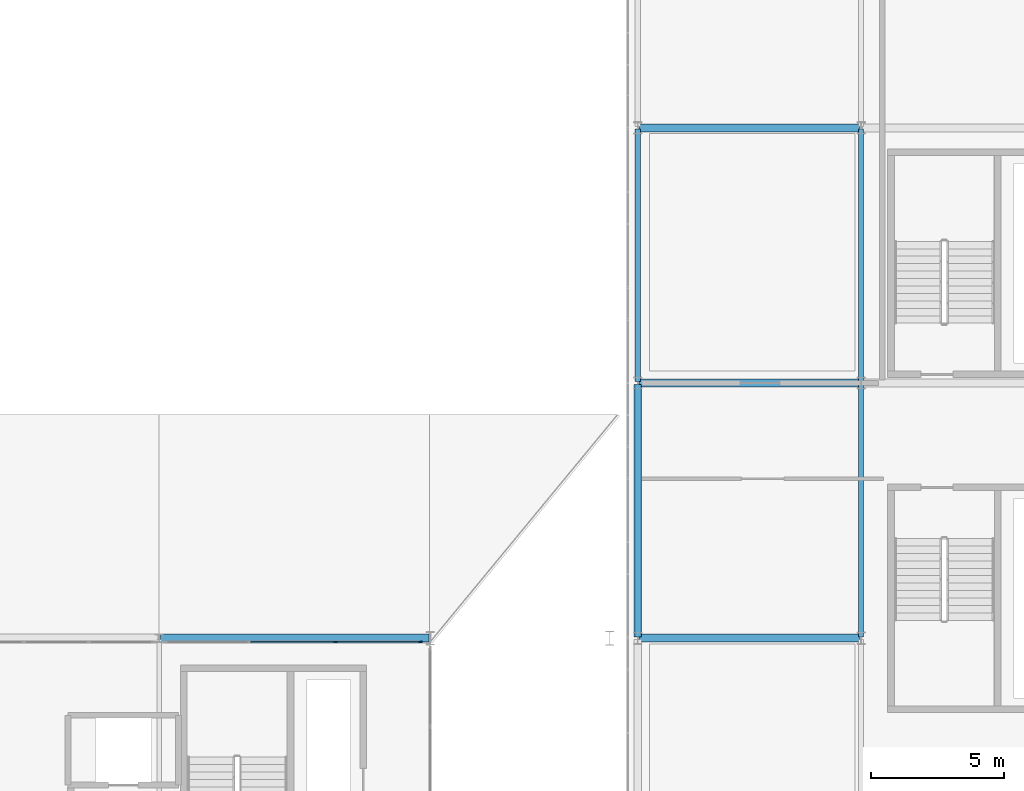
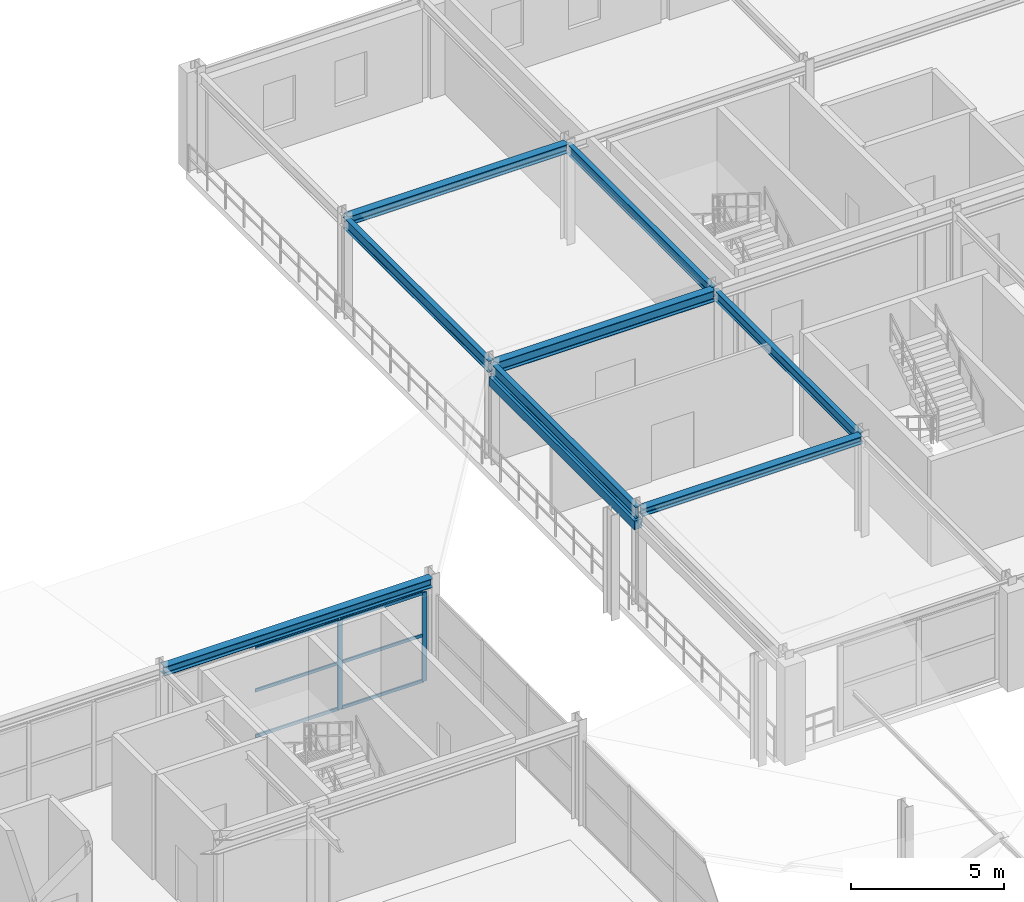
# One storey, part 26 of 81: 9 beams, 8 members, 1 element without a shape of its own.
"""IFC4 building model written with IfcOpenShell, lengths in metres."""

from ifc_helpers import new_model, si_unit, direction, frame, origin, origin_2d, place, context, subcontext, project, spatial, rectangle, i_section, extrude, material, layer, layer_set, material_profile, profile_set, type_object, element, aggregate, save


model = new_model("IFC4")

# Units and contexts
model_context = context("Model", 3, precision=1e-05, world=origin(), true_north=direction((0.0, 1.0)))
body_context = subcontext(model_context, "Body", "Model", "MODEL_VIEW")
ifc_project = project(units=[si_unit("LENGTHUNIT", "METRE"), si_unit("AREAUNIT", "SQUARE_METRE"), si_unit("VOLUMEUNIT", "CUBIC_METRE"), si_unit("PLANEANGLEUNIT", "RADIAN"), si_unit("MASSUNIT", "GRAM", prefix="KILO")], contexts=[model_context])

# Site, building, storey
site_placement = place(None, origin())
site = spatial("IfcSite", under=ifc_project, at=site_placement, CompositionType="ELEMENT")
building_placement = place(site_placement, origin())
building = spatial("IfcBuilding", under=site, at=building_placement, Name="Myrtia Square Station", CompositionType="ELEMENT")
storey_placement = place(building_placement, frame((0.0, 0.0, 10.800048828125)))
storey = spatial("IfcBuildingStorey", under=building, at=storey_placement, Name="L02", CompositionType="ELEMENT", Elevation=10.800048828125)

# Beams
ifc_material_1 = material(Name="Steel S355", Category="steel")
ifc_material_profile_1 = material_profile(ifc_material_1, i_section(OverallWidth=0.300048828125, OverallDepth=0.35009765625, WebThickness=0.010009765625, FlangeThickness=0.017578125, FilletRadius=0.027099609375, at=origin_2d()), Name="HEA 360")
ifc_profile_set_1 = profile_set([ifc_material_profile_1], Name="Steel S355")
beam_type_1 = type_object("IfcBeamType", Name="BM-HEA360", PredefinedType="BEAM", material=ifc_profile_set_1)
beam_1_placement = place(storey_placement, frame((117.64990234375, 115.199951171875, 3.780029296875), z_axis=(1.0, 0.0, 0.0), x_axis=(0.0, 1.0, 0.0)))
element("IfcBeam", 1, at=beam_1_placement, inside=storey, type_object=beam_type_1, Name="Structural girder BMX-L02-0764", PredefinedType="BEAM", context=body_context, shape_type="SweptSolid", body=[
    extrude(i_section(OverallWidth=0.300048828125, OverallDepth=0.35009765625, WebThickness=0.010009765625, FlangeThickness=0.017578125, FilletRadius=0.027099609375, at=origin_2d()), origin(), (0.0, 0.0, 1.0), 8.300048828125),
])
ifc_material_profile_2 = material_profile(ifc_material_1, i_section(OverallWidth=0.300048828125, OverallDepth=0.43994140625, WebThickness=0.011474609375, FlangeThickness=0.02099609375, FilletRadius=0.027099609375, at=origin_2d()), Name="HEA 450")
ifc_profile_set_2 = profile_set([ifc_material_profile_2], Name="Steel S355")
beam_type_2 = type_object("IfcBeamType", Name="BM-HEA450", PredefinedType="BEAM", material=ifc_profile_set_2)
beam_2_placement = place(storey_placement, frame((117.64990234375, 105.60009765625, 3.73486328125), z_axis=(1.0, 0.0, 0.0), x_axis=(0.0, 1.0, 0.0)))
element("IfcBeam", 2, at=beam_2_placement, inside=storey, type_object=beam_type_2, Name="Structural girder BMX-L02-0756", PredefinedType="BEAM", context=body_context, shape_type="SweptSolid", body=[
    extrude(i_section(OverallWidth=0.300048828125, OverallDepth=0.43994140625, WebThickness=0.011474609375, FlangeThickness=0.02099609375, FilletRadius=0.027099609375, at=origin_2d()), origin(), (0.0, 0.0, 1.0), 8.300048828125),
])
ifc_material_profile_3 = material_profile(ifc_material_1, i_section(OverallWidth=0.300048828125, OverallDepth=0.300048828125, WebThickness=0.010986328125, FlangeThickness=0.01904296875, FilletRadius=0.027099609375, at=origin_2d()), Name="HEB 300")
ifc_profile_set_3 = profile_set([ifc_material_profile_3], Name="Steel S355")
beam_type_3 = type_object("IfcBeamType", Name="BM-HEB300", PredefinedType="BEAM", material=ifc_profile_set_3)
beam_3_placement = place(storey_placement, frame((117.64990234375, 96.0, 3.804931640625), z_axis=(1.0, 0.0, 0.0), x_axis=(0.0, 1.0, 0.0)))
element("IfcBeam", 3, at=beam_3_placement, inside=storey, type_object=beam_type_3, Name="Structural girder BMX-L02-0752", PredefinedType="BEAM", context=body_context, shape_type="SweptSolid", body=[
    extrude(i_section(OverallWidth=0.300048828125, OverallDepth=0.300048828125, WebThickness=0.010986328125, FlangeThickness=0.01904296875, FilletRadius=0.027099609375, at=origin_2d()), origin(), (0.0, 0.0, 1.0), 8.300048828125),
])
ifc_material_profile_4 = material_profile(ifc_material_1, i_section(OverallWidth=0.300048828125, OverallDepth=0.360107421875, WebThickness=0.012451171875, FlangeThickness=0.0224609375, FilletRadius=0.027099609375, at=origin_2d()), Name="HEB 360")
ifc_profile_set_4 = profile_set([ifc_material_profile_4], Name="Steel S355")
beam_type_4 = type_object("IfcBeamType", Name="BM-HEB360", PredefinedType="BEAM", material=ifc_profile_set_4)
beam_4_placement = place(storey_placement, frame((99.64990234375, 96.0, 3.780029296875), z_axis=(1.0, 0.0, 0.0), x_axis=(0.0, 1.0, 0.0)))
element("IfcBeam", 4, at=beam_4_placement, inside=storey, type_object=beam_type_4, Name="Structural girder BMX-L02-0702", PredefinedType="BEAM", context=body_context, shape_type="SweptSolid", body=[
    extrude(i_section(OverallWidth=0.300048828125, OverallDepth=0.360107421875, WebThickness=0.012451171875, FlangeThickness=0.0224609375, FilletRadius=0.027099609375, at=origin_2d()), origin(), (0.0, 0.0, 1.0), 10.10009765625),
])
ifc_material_profile_5 = material_profile(ifc_material_1, i_section(OverallWidth=0.179931640625, OverallDepth=0.39990234375, WebThickness=0.008544921875, FlangeThickness=0.013427734375, FilletRadius=0.02099609375, at=origin_2d()), Name="IPE 400")
ifc_profile_set_5 = profile_set([ifc_material_profile_5], Name="Steel S355")
beam_type_5 = type_object("IfcBeamType", Name="BM-IPE400", PredefinedType="BEAM", material=ifc_profile_set_5)
for number, where, z_axis, x_axis, name in (
    (5, (126.0, 96.050048828125, 3.7548828125), (0.0, 1.0, 0.0), (-1.0, 0.0, 0.0), "Structural girder BMY-L02-0777"),
    (6, (126.0, 105.64990234375, 3.7548828125), (0.0, 1.0, 0.0), (-1.0, 0.0, 0.0), "Structural girder BMY-L02-0778"),
):
    element("IfcBeam", number, at=place(storey_placement, frame(where, z_axis=z_axis, x_axis=x_axis)), inside=storey, type_object=beam_type_5, Name=name, PredefinedType="BEAM", context=body_context, shape_type="SweptSolid", body=[
        extrude(i_section(OverallWidth=0.179931640625, OverallDepth=0.39990234375, WebThickness=0.008544921875, FlangeThickness=0.013427734375, FilletRadius=0.02099609375, at=origin_2d()), origin(), (0.0, 0.0, 1.0), 9.5),
    ])
ifc_material_profile_6 = material_profile(ifc_material_1, i_section(OverallWidth=0.18994140625, OverallDepth=0.449951171875, WebThickness=0.009521484375, FlangeThickness=0.0146484375, FilletRadius=0.02099609375, at=origin_2d()), Name="IPE 450")
ifc_profile_set_6 = profile_set([ifc_material_profile_6], Name="Steel S355")
beam_type_6 = type_object("IfcBeamType", Name="BM-IPE450", PredefinedType="BEAM", material=ifc_profile_set_6)
for number, where, z_axis, x_axis, name in (
    (7, (117.60009765625, 96.050048828125, 3.72998046875), (0.0, 1.0, 0.0), (-1.0, 0.0, 0.0), "Structural girder BMY-L02-0773"),
    (8, (117.60009765625, 105.64990234375, 3.72998046875), (0.0, 1.0, 0.0), (-1.0, 0.0, 0.0), "Structural girder BMY-L02-0774"),
):
    element("IfcBeam", number, at=place(storey_placement, frame(where, z_axis=z_axis, x_axis=x_axis)), inside=storey, type_object=beam_type_6, Name=name, PredefinedType="BEAM", context=body_context, shape_type="SweptSolid", body=[
        extrude(i_section(OverallWidth=0.18994140625, OverallDepth=0.449951171875, WebThickness=0.009521484375, FlangeThickness=0.0146484375, FilletRadius=0.02099609375, at=origin_2d()), origin(), (0.0, 0.0, 1.0), 9.5),
    ])

# Curtain wall, members
ifc_material_2 = material(Name="Dark bronze anodised aluminium", Category="aluminium")
ifc_layer = layer(ifc_material_2, 0.159912109375, Name="Dark bronze anodised aluminium")
ifc_layer_set = layer_set([ifc_layer], Name="Dark bronze anodised aluminium")
curtain_wall_type = type_object("IfcCurtainWallType", Name="CW-TYPE-14-965x355", PredefinedType="USERDEFINED", material=ifc_layer_set)
curtain_wall_placement = place(storey_placement, origin())
curtain_wall = element("IfcCurtainWall", 9, at=curtain_wall_placement, inside=storey, type_object=curtain_wall_type, Name="Concourse curtain wall CW-L02-052", ObjectType="CONCOURSE CURTAIN WALL", PredefinedType="USERDEFINED")
ifc_material_profile_7 = material_profile(ifc_material_2, rectangle(XDim=0.06005859375, YDim=0.159912109375, at=origin_2d()), Name="ALU-M 60x160")
ifc_profile_set_7 = profile_set([ifc_material_profile_7], Name="Dark bronze anodised aluminium")
member_type_1 = type_object("IfcMemberType", Name="CWM-60x160", PredefinedType="MULLION", material=ifc_profile_set_7)
member_1_placement = place(storey_placement, frame((106.2333984375, 95.85009765625, 0.0), z_axis=(0.0, 0.0, 1.0), x_axis=(0.0, 1.0, 0.0)))
member_1 = element("IfcMember", 10, at=member_1_placement, type_object=member_type_1, Name="CW-052 mullion 3", PredefinedType="MULLION", context=body_context, shape_type="SweptSolid", body=[
    extrude(rectangle(XDim=0.06005859375, YDim=0.159912109375, at=origin_2d()), origin(), (0.0, 0.0, 1.0), 3.550048828125),
])
member_2_placement = place(storey_placement, frame((109.419921875, 95.85009765625, 0.0), z_axis=(0.0, 0.0, 1.0), x_axis=(0.0, 1.0, 0.0)))
member_2 = element("IfcMember", 11, at=member_2_placement, type_object=member_type_1, Name="CW-052 mullion 4", PredefinedType="MULLION", context=body_context, shape_type="SweptSolid", body=[
    extrude(rectangle(XDim=0.06005859375, YDim=0.159912109375, at=origin_2d()), origin(), (0.0, 0.0, 1.0), 3.550048828125),
])
ifc_material_profile_8 = material_profile(ifc_material_2, rectangle(XDim=0.06005859375, YDim=0.1201171875, at=origin_2d()), Name="ALU-T 60x120")
ifc_profile_set_8 = profile_set([ifc_material_profile_8], Name="Dark bronze anodised aluminium")
member_type_2 = type_object("IfcMemberType", Name="CWT-60x120", PredefinedType="USERDEFINED", material=ifc_profile_set_8)
member_3_placement = place(storey_placement, frame((103.046630859375, 95.85009765625, 0.030029296875), z_axis=(1.0, 0.0, 0.0), x_axis=(0.0, 1.0, 0.0)))
member_3 = element("IfcMember", 12, at=member_3_placement, type_object=member_type_2, Name="CW-052 transom 2.1", ObjectType="TRANSOM", PredefinedType="USERDEFINED", context=body_context, shape_type="SweptSolid", body=[
    extrude(rectangle(XDim=0.06005859375, YDim=0.1201171875, at=origin_2d()), origin(), (0.0, 0.0, 1.0), 3.15673828125),
])
member_4_placement = place(storey_placement, frame((103.046630859375, 95.85009765625, 1.845947265625), z_axis=(1.0, 0.0, 0.0), x_axis=(0.0, 1.0, 0.0)))
member_4 = element("IfcMember", 13, at=member_4_placement, type_object=member_type_2, Name="CW-052 transom 2.2", ObjectType="TRANSOM", PredefinedType="USERDEFINED", context=body_context, shape_type="SweptSolid", body=[
    extrude(rectangle(XDim=0.06005859375, YDim=0.1201171875, at=origin_2d()), origin(), (0.0, 0.0, 1.0), 3.15673828125),
])
member_5_placement = place(storey_placement, frame((103.046630859375, 95.85009765625, 3.52001953125), z_axis=(1.0, 0.0, 0.0), x_axis=(0.0, 1.0, 0.0)))
member_5 = element("IfcMember", 14, at=member_5_placement, type_object=member_type_2, Name="CW-052 transom 2.3", ObjectType="TRANSOM", PredefinedType="USERDEFINED", context=body_context, shape_type="SweptSolid", body=[
    extrude(rectangle(XDim=0.06005859375, YDim=0.1201171875, at=origin_2d()), origin(), (0.0, 0.0, 1.0), 3.15673828125),
])
member_6_placement = place(storey_placement, frame((106.263427734375, 95.85009765625, 0.030029296875), z_axis=(1.0, 0.0, 0.0), x_axis=(0.0, 1.0, 0.0)))
member_6 = element("IfcMember", 15, at=member_6_placement, type_object=member_type_2, Name="CW-052 transom 3.1", ObjectType="TRANSOM", PredefinedType="USERDEFINED", context=body_context, shape_type="SweptSolid", body=[
    extrude(rectangle(XDim=0.06005859375, YDim=0.1201171875, at=origin_2d()), origin(), (0.0, 0.0, 1.0), 3.12646484375),
])
member_7_placement = place(storey_placement, frame((106.263427734375, 95.85009765625, 1.845947265625), z_axis=(1.0, 0.0, 0.0), x_axis=(0.0, 1.0, 0.0)))
member_7 = element("IfcMember", 16, at=member_7_placement, type_object=member_type_2, Name="CW-052 transom 3.2", ObjectType="TRANSOM", PredefinedType="USERDEFINED", context=body_context, shape_type="SweptSolid", body=[
    extrude(rectangle(XDim=0.06005859375, YDim=0.1201171875, at=origin_2d()), origin(), (0.0, 0.0, 1.0), 3.12646484375),
])
member_8_placement = place(storey_placement, frame((106.263427734375, 95.85009765625, 3.52001953125), z_axis=(1.0, 0.0, 0.0), x_axis=(0.0, 1.0, 0.0)))
member_8 = element("IfcMember", 17, at=member_8_placement, type_object=member_type_2, Name="CW-052 transom 3.3", ObjectType="TRANSOM", PredefinedType="USERDEFINED", context=body_context, shape_type="SweptSolid", body=[
    extrude(rectangle(XDim=0.06005859375, YDim=0.1201171875, at=origin_2d()), origin(), (0.0, 0.0, 1.0), 3.12646484375),
])
aggregate(curtain_wall, [member_1, member_2, member_3, member_4, member_5, member_6, member_7, member_8])

# Beam
ifc_material_3 = material(Name="Concrete C35/45", Category="concrete")
ifc_material_profile_9 = material_profile(ifc_material_3, rectangle(XDim=0.300048828125, YDim=0.35009765625, at=origin_2d()), Name="LNT 300x350")
ifc_profile_set_9 = profile_set([ifc_material_profile_9], Name="Concrete C35/45")
beam_type_7 = type_object("IfcBeamType", Name="LNT-RC300x350", PredefinedType="LINTEL", material=ifc_profile_set_9)
beam_5_placement = place(storey_placement, frame((117.60009765625, 96.050048828125, 3.25), z_axis=(0.0, 1.0, 0.0), x_axis=(-1.0, 0.0, 0.0)))
element("IfcBeam", 18, at=beam_5_placement, inside=storey, type_object=beam_type_7, Name="Reinforced concrete opening lintel L02-12", PredefinedType="LINTEL", context=body_context, shape_type="SweptSolid", body=[
    extrude(rectangle(XDim=0.300048828125, YDim=0.35009765625, at=origin_2d()), origin(), (0.0, 0.0, 1.0), 9.5),
])

save(model, "model.ifc")
